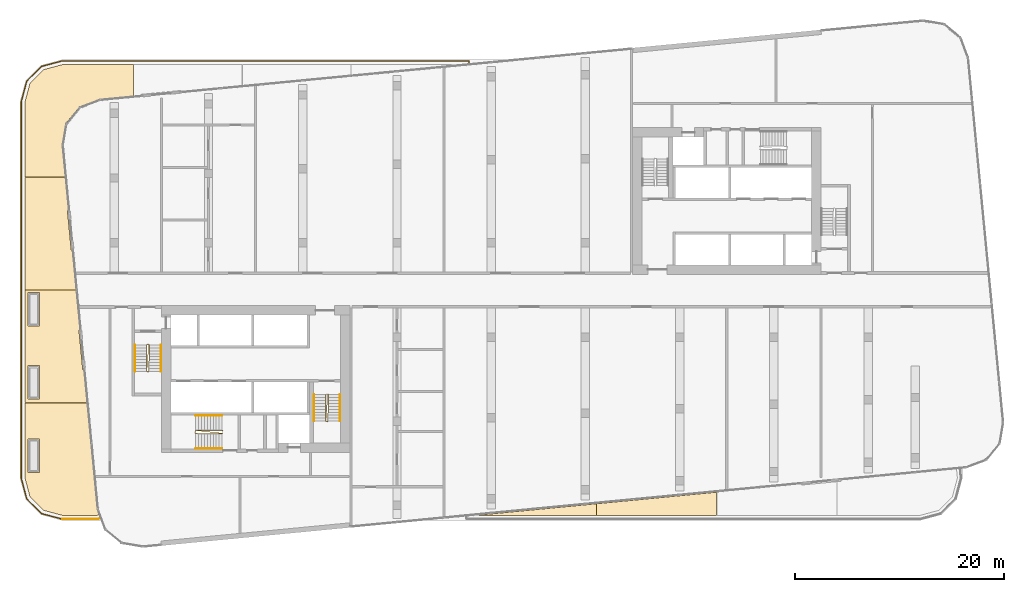
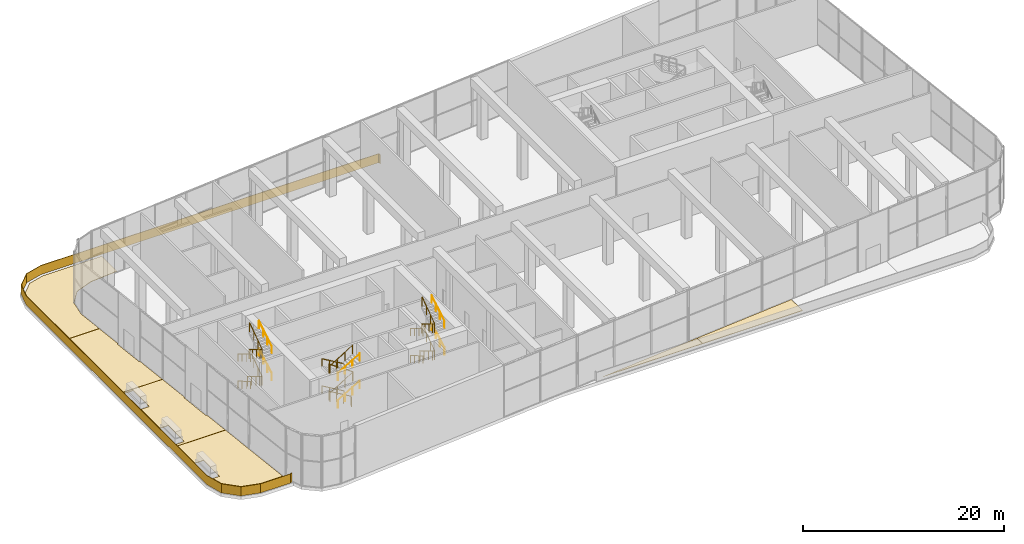
# One storey, part 23 of 25: 17 railings, 6 coverings.
"""IFC4 building model written with IfcOpenShell, lengths in metres."""

from ifc_helpers import new_model, si_unit, direction, frame, origin, origin_2d, place, context, subcontext, project, spatial, polyline, circle, outline, extrude, material, layer, layer_set, type_object, element, save


model = new_model("IFC4")

# Units and contexts
model_context = context("Model", 3, precision=1e-05, world=origin(), true_north=direction((0.0, 1.0)))
body_context = subcontext(model_context, "Body", "Model", "MODEL_VIEW")
ifc_project = project(units=[si_unit("LENGTHUNIT", "METRE"), si_unit("AREAUNIT", "SQUARE_METRE"), si_unit("VOLUMEUNIT", "CUBIC_METRE"), si_unit("PLANEANGLEUNIT", "RADIAN"), si_unit("MASSUNIT", "GRAM", prefix="KILO")], contexts=[model_context])

# Site, building, storey
site_placement = place(None, origin())
site = spatial("IfcSite", under=ifc_project, at=site_placement, CompositionType="ELEMENT")
building_placement = place(site_placement, origin())
building = spatial("IfcBuilding", under=site, at=building_placement, Name="Kajstack Hotel Tower", CompositionType="ELEMENT")
storey_placement = place(building_placement, frame((0.0, 0.0, 104.199951171875)))
storey = spatial("IfcBuildingStorey", under=building, at=storey_placement, Name="L22", CompositionType="ELEMENT", Elevation=104.199951171875)

# Railings
ifc_material_1 = material(Name="Steel S355J2", Category="steel")
railing_type_1 = type_object("IfcRailingType", Name="BALUSTRADE-TERRACE", PredefinedType="BALUSTRADE", material=ifc_material_1)
railing_1_placement = place(storey_placement, frame((-40.984130859375, -21.8798828125, 0.0)))
element("IfcRailing", 1, at=railing_1_placement, inside=storey, type_object=railing_type_1, Name="Terrace guard L22-01-01", PredefinedType="BALUSTRADE", context=body_context, shape_type="SweptSolid", body=[
    extrude(outline(polyline([(-1.969482421875, 0.49658203125), (-3.399169921875, 1.92626953125), (-3.92578125, 3.891845703125), (-3.92578125, 39.867919921875), (-3.399169921875, 41.83349609375), (-1.969482421875, 43.26318359375), (-0.00390625, 43.789794921875), (38.877197265625, 43.789794921875), (38.905517578125, 43.493896484375), (38.845947265625, 43.488037109375), (38.822509765625, 43.729736328125), (0.00390625, 43.729736328125), (-1.938232421875, 43.20947265625), (-3.345458984375, 41.80224609375), (-3.86572265625, 39.860107421875), (-3.86572265625, 3.899658203125), (-3.345458984375, 1.95751953125), (-1.938232421875, 0.55029296875), (0.0078125, 0.029052734375), (-0.0078125, -0.029052734375), (-1.969482421875, 0.49658203125)])), origin(), (0.0, 0.0, 1.0), 1.10009765625),
])
railing_2_placement = place(storey_placement, frame((-37.324462890625, -21.785400390625, 0.0)))
element("IfcRailing", 2, at=railing_2_placement, inside=storey, type_object=railing_type_1, Name="Terrace guard L22-01-02", PredefinedType="BALUSTRADE", context=body_context, shape_type="SweptSolid", body=[
    extrude(outline(polyline([(-0.24755859375, -0.12451171875), (-3.65966796875, -0.12451171875), (-3.65966796875, -0.064453125), (-0.25830078125, -0.064453125), (-0.010498046875, 0.028076171875), (0.010498046875, -0.028076171875), (-0.24755859375, -0.12451171875)])), origin(), (0.0, 0.0, 1.0), 1.10009765625),
])

# Coverings
ifc_material_2 = material(Name="Timber larch", Category="wood")
ifc_layer = layer(ifc_material_2, 0.050048828125)
ifc_layer_set = layer_set([ifc_layer], Name="DECK-LARCH")
covering_type = type_object("IfcCoveringType", Name="DECK-LARCH", PredefinedType="FLOORING", material=ifc_layer_set)
covering_1_placement = place(storey_placement, origin())
element("IfcCovering", 3, at=covering_1_placement, inside=storey, type_object=covering_type, Name="Larch decking L22-01-01", PredefinedType="FLOORING", context=body_context, shape_type="SweptSolid", body=[
    extrude(outline(polyline([(-38.60595703125, -10.77490234375), (-44.52001953125, -10.77490234375), (-44.52001953125, -17.975341796875), (-44.042724609375, -19.7568359375), (-42.7568359375, -21.042724609375), (-40.975341796875, -21.52001953125), (-37.61376953125, -21.52001953125), (-37.447265625, -21.457763671875), (-37.62255859375, -20.98876953125), (-38.60595703125, -10.77490234375)]), holes=[polyline([(-44.25, -14.22900390625), (-43.14990234375, -14.22900390625), (-43.14990234375, -17.428955078125), (-44.25, -17.428955078125), (-44.25, -14.22900390625)])]), origin(), (0.0, 0.0, 1.0), 0.050048828125),
])
covering_2_placement = place(storey_placement, origin())
element("IfcCovering", 4, at=covering_2_placement, inside=storey, type_object=covering_type, Name="Larch decking L22-01-02", PredefinedType="FLOORING", context=body_context, shape_type="SweptSolid", body=[
    extrude(outline(polyline([(-39.642578125, -0.010009765625), (-44.52001953125, -0.010009765625), (-44.52001953125, -10.7548828125), (-38.60791015625, -10.7548828125), (-38.91259765625, -7.59130859375), (-39.011962890625, -7.600830078125), (-39.376220703125, -3.818359375), (-39.27685546875, -3.808837890625), (-39.642578125, -0.010009765625)]), holes=[polyline([(-44.25, -10.428955078125), (-44.25, -7.22900390625), (-43.14990234375, -7.22900390625), (-43.14990234375, -10.428955078125), (-44.25, -10.428955078125)]), polyline([(-44.25, -0.22900390625), (-43.14990234375, -0.22900390625), (-43.14990234375, -3.428955078125), (-44.25, -3.428955078125), (-44.25, -0.22900390625)])]), origin(), (0.0, 0.0, 1.0), 0.050048828125),
])
covering_3_placement = place(storey_placement, origin())
element("IfcCovering", 5, at=covering_3_placement, inside=storey, type_object=covering_type, Name="Larch decking L22-01-03", PredefinedType="FLOORING", context=body_context, shape_type="SweptSolid", body=[
    extrude(outline(polyline([(-40.67919921875, 10.7548828125), (-44.52001953125, 10.7548828125), (-44.52001953125, 0.010009765625), (-39.64453125, 0.010009765625), (-40.01025390625, 3.808837890625), (-40.109619140625, 3.799072265625), (-40.473876953125, 7.58154296875), (-40.37451171875, 7.59130859375), (-40.67919921875, 10.7548828125)])), origin(), (0.0, 0.0, 1.0), 0.050048828125),
])
covering_4_placement = place(storey_placement, origin())
element("IfcCovering", 6, at=covering_4_placement, inside=storey, type_object=covering_type, Name="Larch decking L22-01-04", PredefinedType="FLOORING", context=body_context, shape_type="SweptSolid", body=[
    extrude(outline(polyline([(-40.635498046875, 15.892333984375), (-39.318359375, 17.489990234375), (-37.37890625, 18.215087890625), (-34.16162109375, 18.52490234375), (-34.16162109375, 21.52001953125), (-40.975341796875, 21.52001953125), (-42.7568359375, 21.042724609375), (-44.042724609375, 19.7568359375), (-44.52001953125, 17.975341796875), (-44.52001953125, 10.77490234375), (-40.680908203125, 10.77490234375), (-40.97705078125, 13.85009765625), (-40.635498046875, 15.892333984375)])), origin(), (0.0, 0.0, 1.0), 0.050048828125),
])
covering_5_placement = place(storey_placement, origin())
element("IfcCovering", 7, at=covering_5_placement, inside=storey, type_object=covering_type, Name="Larch decking L22-02-01", PredefinedType="FLOORING", context=body_context, shape_type="SweptSolid", body=[
    extrude(outline(polyline([(-1.4052734375, -21.52001953125), (10.036865234375, -21.52001953125), (10.036865234375, -20.418212890625), (-1.4052734375, -21.52001953125)])), origin(), (0.0, 0.0, 1.0), 0.050048828125),
])
covering_6_placement = place(storey_placement, origin())
element("IfcCovering", 8, at=covering_6_placement, inside=storey, type_object=covering_type, Name="Larch decking L22-02-02", PredefinedType="FLOORING", context=body_context, shape_type="SweptSolid", body=[
    extrude(outline(polyline([(10.056884765625, -20.416259765625), (10.056884765625, -21.52001953125), (21.52978515625, -21.52001953125), (21.52978515625, -19.3115234375), (10.056884765625, -20.416259765625)])), origin(), (0.0, 0.0, 1.0), 0.050048828125),
])

# Railings
railing_type_2 = type_object("IfcRailingType", Name="Stair guard 1100", PredefinedType="GUARDRAIL", material=ifc_material_1)
railing_3_placement = place(storey_placement, frame((-32.85009765625, -5.199951171875, 0.0)))
element("IfcRailing", 9, at=railing_3_placement, inside=storey, type_object=railing_type_2, Name="L22 W1 stair guard 1", PredefinedType="GUARDRAIL", context=body_context, shape_type="SweptSolid", body=[
    extrude(circle(Radius=0.02392578125, at=origin_2d()), frame((0.0, 0.0, 1.076171875), z_axis=(-0.277450376394, -0.278810427259, 0.919394384522), x_axis=(0.708833529934, -0.705375805398, 0.0)), (0.0, 0.0, 1.0), 0.179443359375),
    extrude(circle(Radius=0.02392578125, at=origin_2d()), frame((-0.0498046875, -0.050048828125, 1.2412109375), z_axis=(0.0, -0.86152411907, 0.507716645641), x_axis=(1.0, 0.0, 0.0)), (0.0, 0.0, 1.0), 2.925048828125),
    extrude(circle(Radius=0.02392578125, at=origin_2d()), frame((-0.0498046875, -2.570068359375, 2.72607421875), z_axis=(0.970072785993, -0.242814311512, 0.0), x_axis=(0.242814311512, 0.970072785993, 0.0)), (0.0, 0.0, 1.0), 0.2060546875),
    extrude(circle(Radius=0.02392578125, at=origin_2d()), frame((0.150146484375, -2.6201171875, 2.72607421875), z_axis=(0.016385308676, 0.841405582595, 0.540155687962), x_axis=(-0.999810440751, 0.019470042781, 0.0)), (0.0, 0.0, 1.0), 3.054443359375),
    extrude(circle(Radius=0.02392578125, at=origin_2d()), frame((0.2001953125, -0.050048828125, 4.3759765625), z_axis=(-0.707106781187, 0.707106781187, 0.0), x_axis=(-0.707106781187, -0.707106781187, 0.0)), (0.0, 0.0, 1.0), 0.07080078125),
    extrude(circle(Radius=0.02392578125, at=origin_2d()), frame((0.150146484375, 0.0, 4.3759765625), z_axis=(-0.065330231748, -0.839720817594, 0.539074122286), x_axis=(0.996987254287, -0.077565551559, 0.0)), (0.0, 0.0, 1.0), 3.060546875),
    extrude(circle(Radius=0.02392578125, at=origin_2d()), frame((-0.0498046875, -2.570068359375, 6.02587890625), z_axis=(0.970072785993, -0.242814311512, 0.0), x_axis=(0.242814311512, 0.970072785993, 0.0)), (0.0, 0.0, 1.0), 0.2060546875),
    extrude(circle(Radius=0.02392578125, at=origin_2d()), frame((0.150146484375, -2.6201171875, 6.02587890625), z_axis=(0.016384601254, 0.84136925563, 0.540212292087), x_axis=(-0.999810440751, 0.019470042781, 0.0)), (0.0, 0.0, 1.0), 3.0546875),
    extrude(circle(Radius=0.02099609375, at=origin_2d()), origin(), (0.0, 0.0, 1.0), 1.052001953125),
    extrude(circle(Radius=0.02099609375, at=origin_2d()), frame((-0.0498046875, -0.050048828125, 0.1650390625)), (0.0, 0.0, 1.0), 1.052001953125),
    extrude(circle(Radius=0.02099609375, at=origin_2d()), frame((-0.0498046875, -0.89013671875, 0.66015625)), (0.0, 0.0, 1.0), 1.052001953125),
    extrude(circle(Radius=0.02099609375, at=origin_2d()), frame((-0.0498046875, -1.72998046875, 1.155029296875)), (0.0, 0.0, 1.0), 1.052001953125),
    extrude(circle(Radius=0.02099609375, at=origin_2d()), frame((-0.0498046875, -2.570068359375, 1.650146484375)), (0.0, 0.0, 1.0), 1.052001953125),
    extrude(circle(Radius=0.02099609375, at=origin_2d()), frame((0.150146484375, -2.6201171875, 1.650146484375)), (0.0, 0.0, 1.0), 1.052001953125),
    extrude(circle(Radius=0.02099609375, at=origin_2d()), frame((0.166748046875, -1.763427734375, 2.2001953125)), (0.0, 0.0, 1.0), 1.052001953125),
    extrude(circle(Radius=0.02099609375, at=origin_2d()), frame((0.18359375, -0.90673828125, 2.75)), (0.0, 0.0, 1.0), 1.052001953125),
    extrude(circle(Radius=0.02099609375, at=origin_2d()), frame((0.2001953125, -0.050048828125, 3.300048828125)), (0.0, 0.0, 1.0), 1.052001953125),
    extrude(circle(Radius=0.02099609375, at=origin_2d()), frame((0.150146484375, 0.0, 3.300048828125)), (0.0, 0.0, 1.0), 1.052001953125),
    extrude(circle(Radius=0.02099609375, at=origin_2d()), frame((0.08349609375, -0.856689453125, 3.85009765625)), (0.0, 0.0, 1.0), 1.052001953125),
    extrude(circle(Radius=0.02099609375, at=origin_2d()), frame((0.016845703125, -1.71337890625, 4.39990234375)), (0.0, 0.0, 1.0), 1.052001953125),
    extrude(circle(Radius=0.02099609375, at=origin_2d()), frame((-0.0498046875, -2.570068359375, 4.949951171875)), (0.0, 0.0, 1.0), 1.052001953125),
    extrude(circle(Radius=0.02099609375, at=origin_2d()), frame((0.150146484375, -2.6201171875, 4.949951171875)), (0.0, 0.0, 1.0), 1.052001953125),
    extrude(circle(Radius=0.02099609375, at=origin_2d()), frame((0.166748046875, -1.763427734375, 5.5)), (0.0, 0.0, 1.0), 1.052001953125),
    extrude(circle(Radius=0.02099609375, at=origin_2d()), frame((0.18359375, -0.90673828125, 6.050048828125)), (0.0, 0.0, 1.0), 1.052001953125),
    extrude(circle(Radius=0.02099609375, at=origin_2d()), frame((0.2001953125, -0.050048828125, 6.60009765625)), (0.0, 0.0, 1.0), 1.052001953125),
])
railing_4_placement = place(storey_placement, frame((-15.75, -9.949951171875, 0.0)))
element("IfcRailing", 10, at=railing_4_placement, inside=storey, type_object=railing_type_2, Name="L22 W2 stair guard 1", PredefinedType="GUARDRAIL", context=body_context, shape_type="SweptSolid", body=[
    extrude(circle(Radius=0.02392578125, at=origin_2d()), frame((0.0, 0.0, 1.076171875), z_axis=(-0.278705021027, -0.278705021027, 0.919046801044), x_axis=(0.707106781187, -0.707106781187, 0.0)), (0.0, 0.0, 1.0), 0.1796875),
    extrude(circle(Radius=0.02392578125, at=origin_2d()), frame((-0.050048828125, -0.050048828125, 1.2412109375), z_axis=(0.0, -0.86152411907, 0.507716645641), x_axis=(1.0, 0.0, 0.0)), (0.0, 0.0, 1.0), 2.925048828125),
    extrude(circle(Radius=0.02392578125, at=origin_2d()), frame((-0.050048828125, -2.570068359375, 2.72607421875), z_axis=(0.970072785993, -0.242814311512, 0.0), x_axis=(0.242814311512, 0.970072785993, 0.0)), (0.0, 0.0, 1.0), 0.2060546875),
    extrude(circle(Radius=0.02392578125, at=origin_2d()), frame((0.14990234375, -2.6201171875, 2.72607421875), z_axis=(0.016385308676, 0.841405582595, 0.540155687962), x_axis=(-0.999810440751, 0.019470042781, 0.0)), (0.0, 0.0, 1.0), 3.054443359375),
    extrude(circle(Radius=0.02392578125, at=origin_2d()), frame((0.199951171875, -0.050048828125, 4.3759765625), z_axis=(-0.707106781187, 0.707106781187, 0.0), x_axis=(-0.707106781187, -0.707106781187, 0.0)), (0.0, 0.0, 1.0), 0.07080078125),
    extrude(circle(Radius=0.02392578125, at=origin_2d()), frame((0.14990234375, 0.0, 4.3759765625), z_axis=(-0.065330231748, -0.839720817594, 0.539074122286), x_axis=(0.996987254287, -0.077565551559, 0.0)), (0.0, 0.0, 1.0), 3.060546875),
    extrude(circle(Radius=0.02392578125, at=origin_2d()), frame((-0.050048828125, -2.570068359375, 6.02587890625), z_axis=(0.970072785993, -0.242814311512, 0.0), x_axis=(0.242814311512, 0.970072785993, 0.0)), (0.0, 0.0, 1.0), 0.2060546875),
    extrude(circle(Radius=0.02392578125, at=origin_2d()), frame((0.14990234375, -2.6201171875, 6.02587890625), z_axis=(0.016384601254, 0.84136925563, 0.540212292087), x_axis=(-0.999810440751, 0.019470042781, 0.0)), (0.0, 0.0, 1.0), 3.0546875),
    extrude(circle(Radius=0.02099609375, at=origin_2d()), origin(), (0.0, 0.0, 1.0), 1.052001953125),
    extrude(circle(Radius=0.02099609375, at=origin_2d()), frame((-0.050048828125, -0.050048828125, 0.1650390625)), (0.0, 0.0, 1.0), 1.052001953125),
    extrude(circle(Radius=0.02099609375, at=origin_2d()), frame((-0.050048828125, -0.89013671875, 0.66015625)), (0.0, 0.0, 1.0), 1.052001953125),
    extrude(circle(Radius=0.02099609375, at=origin_2d()), frame((-0.050048828125, -1.72998046875, 1.155029296875)), (0.0, 0.0, 1.0), 1.052001953125),
    extrude(circle(Radius=0.02099609375, at=origin_2d()), frame((-0.050048828125, -2.570068359375, 1.650146484375)), (0.0, 0.0, 1.0), 1.052001953125),
    extrude(circle(Radius=0.02099609375, at=origin_2d()), frame((0.14990234375, -2.6201171875, 1.650146484375)), (0.0, 0.0, 1.0), 1.052001953125),
    extrude(circle(Radius=0.02099609375, at=origin_2d()), frame((0.16650390625, -1.763427734375, 2.2001953125)), (0.0, 0.0, 1.0), 1.052001953125),
    extrude(circle(Radius=0.02099609375, at=origin_2d()), frame((0.183349609375, -0.90673828125, 2.75)), (0.0, 0.0, 1.0), 1.052001953125),
    extrude(circle(Radius=0.02099609375, at=origin_2d()), frame((0.199951171875, -0.050048828125, 3.300048828125)), (0.0, 0.0, 1.0), 1.052001953125),
    extrude(circle(Radius=0.02099609375, at=origin_2d()), frame((0.14990234375, 0.0, 3.300048828125)), (0.0, 0.0, 1.0), 1.052001953125),
    extrude(circle(Radius=0.02099609375, at=origin_2d()), frame((0.083251953125, -0.856689453125, 3.85009765625)), (0.0, 0.0, 1.0), 1.052001953125),
    extrude(circle(Radius=0.02099609375, at=origin_2d()), frame((0.0166015625, -1.71337890625, 4.39990234375)), (0.0, 0.0, 1.0), 1.052001953125),
    extrude(circle(Radius=0.02099609375, at=origin_2d()), frame((-0.050048828125, -2.570068359375, 4.949951171875)), (0.0, 0.0, 1.0), 1.052001953125),
    extrude(circle(Radius=0.02099609375, at=origin_2d()), frame((0.14990234375, -2.6201171875, 4.949951171875)), (0.0, 0.0, 1.0), 1.052001953125),
    extrude(circle(Radius=0.02099609375, at=origin_2d()), frame((0.16650390625, -1.763427734375, 5.5)), (0.0, 0.0, 1.0), 1.052001953125),
    extrude(circle(Radius=0.02099609375, at=origin_2d()), frame((0.183349609375, -0.90673828125, 6.050048828125)), (0.0, 0.0, 1.0), 1.052001953125),
    extrude(circle(Radius=0.02099609375, at=origin_2d()), frame((0.199951171875, -0.050048828125, 6.60009765625)), (0.0, 0.0, 1.0), 1.052001953125),
])
railing_5_placement = place(storey_placement, frame((-25.64990234375, -13.449951171875, 0.0)))
element("IfcRailing", 11, at=railing_5_placement, inside=storey, type_object=railing_type_2, Name="L22 W3 stair guard 1", PredefinedType="GUARDRAIL", context=body_context, shape_type="SweptSolid", body=[
    extrude(circle(Radius=0.02392578125, at=origin_2d()), frame((0.0, 0.0, 1.076171875), z_axis=(-0.278705021027, 0.278705021027, 0.919046801044), x_axis=(-0.707106781187, -0.707106781187, 0.0)), (0.0, 0.0, 1.0), 0.1796875),
    extrude(circle(Radius=0.02392578125, at=origin_2d()), frame((-0.050048828125, 0.050048828125, 1.2412109375), z_axis=(-0.86152411907, 0.0, 0.507716645641), x_axis=(0.0, -1.0, 0.0)), (0.0, 0.0, 1.0), 2.925048828125),
    extrude(circle(Radius=0.02392578125, at=origin_2d()), frame((-2.570068359375, 0.050048828125, 2.72607421875), z_axis=(-0.164529134168, -0.986372223864, 0.0), x_axis=(0.986372223864, -0.164529134168, 0.0)), (0.0, 0.0, 1.0), 0.30419921875),
    extrude(circle(Radius=0.02392578125, at=origin_2d()), frame((-2.6201171875, -0.25, 2.72607421875), z_axis=(0.841405582595, -0.016385308676, 0.540155687962), x_axis=(0.019470042781, 0.999810440751, 0.0)), (0.0, 0.0, 1.0), 3.054443359375),
    extrude(circle(Radius=0.02392578125, at=origin_2d()), frame((-0.050048828125, -0.300048828125, 4.3759765625), z_axis=(0.707106781187, 0.707106781187, 0.0), x_axis=(-0.707106781187, 0.707106781187, 0.0)), (0.0, 0.0, 1.0), 0.07080078125),
    extrude(circle(Radius=0.02392578125, at=origin_2d()), frame((0.0, -0.25, 4.3759765625), z_axis=(-0.837486508305, 0.097774381942, 0.537639766612), x_axis=(-0.115959822279, -0.993253904909, 0.0)), (0.0, 0.0, 1.0), 3.06884765625),
    extrude(circle(Radius=0.02392578125, at=origin_2d()), frame((-2.570068359375, 0.050048828125, 6.02587890625), z_axis=(-0.164529134168, -0.986372223864, 0.0), x_axis=(0.986372223864, -0.164529134168, 0.0)), (0.0, 0.0, 1.0), 0.30419921875),
    extrude(circle(Radius=0.02392578125, at=origin_2d()), frame((-2.6201171875, -0.25, 6.02587890625), z_axis=(0.84136925563, -0.016384601254, 0.540212292087), x_axis=(0.019470042781, 0.999810440751, 0.0)), (0.0, 0.0, 1.0), 3.0546875),
    extrude(circle(Radius=0.02099609375, at=origin_2d()), origin(), (0.0, 0.0, 1.0), 1.052001953125),
    extrude(circle(Radius=0.02099609375, at=origin_2d()), frame((-0.050048828125, 0.050048828125, 0.1650390625)), (0.0, 0.0, 1.0), 1.052001953125),
    extrude(circle(Radius=0.02099609375, at=origin_2d()), frame((-0.89013671875, 0.050048828125, 0.66015625)), (0.0, 0.0, 1.0), 1.052001953125),
    extrude(circle(Radius=0.02099609375, at=origin_2d()), frame((-1.72998046875, 0.050048828125, 1.155029296875)), (0.0, 0.0, 1.0), 1.052001953125),
    extrude(circle(Radius=0.02099609375, at=origin_2d()), frame((-2.570068359375, 0.050048828125, 1.650146484375)), (0.0, 0.0, 1.0), 1.052001953125),
    extrude(circle(Radius=0.02099609375, at=origin_2d()), frame((-2.6201171875, -0.25, 1.650146484375)), (0.0, 0.0, 1.0), 1.052001953125),
    extrude(circle(Radius=0.02099609375, at=origin_2d()), frame((-1.763427734375, -0.2666015625, 2.2001953125)), (0.0, 0.0, 1.0), 1.052001953125),
    extrude(circle(Radius=0.02099609375, at=origin_2d()), frame((-0.90673828125, -0.283447265625, 2.75)), (0.0, 0.0, 1.0), 1.052001953125),
    extrude(circle(Radius=0.02099609375, at=origin_2d()), frame((-0.050048828125, -0.300048828125, 3.300048828125)), (0.0, 0.0, 1.0), 1.052001953125),
    extrude(circle(Radius=0.02099609375, at=origin_2d()), frame((0.0, -0.25, 3.300048828125)), (0.0, 0.0, 1.0), 1.052001953125),
    extrude(circle(Radius=0.02099609375, at=origin_2d()), frame((-0.856689453125, -0.14990234375, 3.85009765625)), (0.0, 0.0, 1.0), 1.052001953125),
    extrude(circle(Radius=0.02099609375, at=origin_2d()), frame((-1.71337890625, -0.050048828125, 4.39990234375)), (0.0, 0.0, 1.0), 1.052001953125),
    extrude(circle(Radius=0.02099609375, at=origin_2d()), frame((-2.570068359375, 0.050048828125, 4.949951171875)), (0.0, 0.0, 1.0), 1.052001953125),
    extrude(circle(Radius=0.02099609375, at=origin_2d()), frame((-2.6201171875, -0.25, 4.949951171875)), (0.0, 0.0, 1.0), 1.052001953125),
    extrude(circle(Radius=0.02099609375, at=origin_2d()), frame((-1.763427734375, -0.2666015625, 5.5)), (0.0, 0.0, 1.0), 1.052001953125),
    extrude(circle(Radius=0.02099609375, at=origin_2d()), frame((-0.90673828125, -0.283447265625, 6.050048828125)), (0.0, 0.0, 1.0), 1.052001953125),
    extrude(circle(Radius=0.02099609375, at=origin_2d()), frame((-0.050048828125, -0.300048828125, 6.60009765625)), (0.0, 0.0, 1.0), 1.052001953125),
])
railing_type_3 = type_object("IfcRailingType", Name="Stair handrail 900", PredefinedType="HANDRAIL", material=ifc_material_1)
railing_6_placement = place(storey_placement, frame((-34.0, -5.25, 0.1650390625)))
element("IfcRailing", 12, at=railing_6_placement, inside=storey, type_object=railing_type_3, Name="L22 W1 stair handrail 1", PredefinedType="HANDRAIL", context=body_context, shape_type="SweptSolid", body=[
    extrude(circle(Radius=0.02392578125, at=origin_2d()), frame((0.0, 0.0, 0.8759765625), z_axis=(0.0, -0.86152411907, 0.507716645641), x_axis=(1.0, 0.0, 0.0)), (0.0, 0.0, 1.0), 2.925048828125),
    extrude(circle(Radius=0.02099609375, at=origin_2d()), origin(), (0.0, 0.0, 1.0), 0.851806640625),
    extrude(circle(Radius=0.02099609375, at=origin_2d()), frame((0.0, -0.840087890625, 0.4951171875)), (0.0, 0.0, 1.0), 0.851806640625),
    extrude(circle(Radius=0.02099609375, at=origin_2d()), frame((0.0, -1.679931640625, 0.989990234375)), (0.0, 0.0, 1.0), 0.851806640625),
    extrude(circle(Radius=0.02099609375, at=origin_2d()), frame((0.0, -2.52001953125, 1.485107421875)), (0.0, 0.0, 1.0), 0.851806640625),
])
railing_7_placement = place(storey_placement, frame((-31.550048828125, -7.77001953125, 1.81494140625)))
element("IfcRailing", 13, at=railing_7_placement, inside=storey, type_object=railing_type_3, Name="L22 W1 stair handrail 2", PredefinedType="HANDRAIL", context=body_context, shape_type="SweptSolid", body=[
    extrude(circle(Radius=0.02392578125, at=origin_2d()), frame((0.0, 0.0, 0.8759765625), z_axis=(0.0, 0.86152411907, 0.507716645641), x_axis=(-1.0, 0.0, 0.0)), (0.0, 0.0, 1.0), 2.925048828125),
    extrude(circle(Radius=0.02099609375, at=origin_2d()), origin(), (0.0, 0.0, 1.0), 0.851806640625),
    extrude(circle(Radius=0.02099609375, at=origin_2d()), frame((0.0, 0.840087890625, 0.4951171875)), (0.0, 0.0, 1.0), 0.851806640625),
    extrude(circle(Radius=0.02099609375, at=origin_2d()), frame((0.0, 1.679931640625, 0.989990234375)), (0.0, 0.0, 1.0), 0.851806640625),
    extrude(circle(Radius=0.02099609375, at=origin_2d()), frame((0.0, 2.52001953125, 1.485107421875)), (0.0, 0.0, 1.0), 0.851806640625),
])
railing_8_placement = place(storey_placement, frame((-34.0, -5.25, 3.465087890625)))
element("IfcRailing", 14, at=railing_8_placement, inside=storey, type_object=railing_type_3, Name="L22 W1 stair handrail 3", PredefinedType="HANDRAIL", context=body_context, shape_type="SweptSolid", body=[
    extrude(circle(Radius=0.02392578125, at=origin_2d()), frame((0.0, 0.0, 0.8759765625), z_axis=(0.0, -0.861560626758, 0.507654692109), x_axis=(1.0, 0.0, 0.0)), (0.0, 0.0, 1.0), 2.925048828125),
    extrude(circle(Radius=0.02099609375, at=origin_2d()), origin(), (0.0, 0.0, 1.0), 0.851806640625),
    extrude(circle(Radius=0.02099609375, at=origin_2d()), frame((0.0, -0.840087890625, 0.494873046875)), (0.0, 0.0, 1.0), 0.851806640625),
    extrude(circle(Radius=0.02099609375, at=origin_2d()), frame((0.0, -1.679931640625, 0.989990234375)), (0.0, 0.0, 1.0), 0.851806640625),
    extrude(circle(Radius=0.02099609375, at=origin_2d()), frame((0.0, -2.52001953125, 1.48486328125)), (0.0, 0.0, 1.0), 0.851806640625),
])
railing_9_placement = place(storey_placement, frame((-31.550048828125, -7.77001953125, 5.114990234375)))
element("IfcRailing", 15, at=railing_9_placement, inside=storey, type_object=railing_type_3, Name="L22 W1 stair handrail 4", PredefinedType="HANDRAIL", context=body_context, shape_type="SweptSolid", body=[
    extrude(circle(Radius=0.02392578125, at=origin_2d()), frame((0.0, 0.0, 0.8759765625), z_axis=(0.0, 0.86152411907, 0.507716645641), x_axis=(-1.0, 0.0, 0.0)), (0.0, 0.0, 1.0), 2.925048828125),
    extrude(circle(Radius=0.02099609375, at=origin_2d()), origin(), (0.0, 0.0, 1.0), 0.851806640625),
    extrude(circle(Radius=0.02099609375, at=origin_2d()), frame((0.0, 0.840087890625, 0.4951171875)), (0.0, 0.0, 1.0), 0.851806640625),
    extrude(circle(Radius=0.02099609375, at=origin_2d()), frame((0.0, 1.679931640625, 0.989990234375)), (0.0, 0.0, 1.0), 0.851806640625),
    extrude(circle(Radius=0.02099609375, at=origin_2d()), frame((0.0, 2.52001953125, 1.485107421875)), (0.0, 0.0, 1.0), 0.851806640625),
])
railing_10_placement = place(storey_placement, frame((-16.89990234375, -10.0, 0.1650390625)))
element("IfcRailing", 16, at=railing_10_placement, inside=storey, type_object=railing_type_3, Name="L22 W2 stair handrail 1", PredefinedType="HANDRAIL", context=body_context, shape_type="SweptSolid", body=[
    extrude(circle(Radius=0.02392578125, at=origin_2d()), frame((0.0, 0.0, 0.8759765625), z_axis=(0.0, -0.86152411907, 0.507716645641), x_axis=(1.0, 0.0, 0.0)), (0.0, 0.0, 1.0), 2.925048828125),
    extrude(circle(Radius=0.02099609375, at=origin_2d()), origin(), (0.0, 0.0, 1.0), 0.851806640625),
    extrude(circle(Radius=0.02099609375, at=origin_2d()), frame((0.0, -0.840087890625, 0.4951171875)), (0.0, 0.0, 1.0), 0.851806640625),
    extrude(circle(Radius=0.02099609375, at=origin_2d()), frame((0.0, -1.679931640625, 0.989990234375)), (0.0, 0.0, 1.0), 0.851806640625),
    extrude(circle(Radius=0.02099609375, at=origin_2d()), frame((0.0, -2.52001953125, 1.485107421875)), (0.0, 0.0, 1.0), 0.851806640625),
])
railing_11_placement = place(storey_placement, frame((-14.449951171875, -12.52001953125, 1.81494140625)))
element("IfcRailing", 17, at=railing_11_placement, inside=storey, type_object=railing_type_3, Name="L22 W2 stair handrail 2", PredefinedType="HANDRAIL", context=body_context, shape_type="SweptSolid", body=[
    extrude(circle(Radius=0.02392578125, at=origin_2d()), frame((0.0, 0.0, 0.8759765625), z_axis=(0.0, 0.86152411907, 0.507716645641), x_axis=(-1.0, 0.0, 0.0)), (0.0, 0.0, 1.0), 2.925048828125),
    extrude(circle(Radius=0.02099609375, at=origin_2d()), origin(), (0.0, 0.0, 1.0), 0.851806640625),
    extrude(circle(Radius=0.02099609375, at=origin_2d()), frame((0.0, 0.840087890625, 0.4951171875)), (0.0, 0.0, 1.0), 0.851806640625),
    extrude(circle(Radius=0.02099609375, at=origin_2d()), frame((0.0, 1.679931640625, 0.989990234375)), (0.0, 0.0, 1.0), 0.851806640625),
    extrude(circle(Radius=0.02099609375, at=origin_2d()), frame((0.0, 2.52001953125, 1.485107421875)), (0.0, 0.0, 1.0), 0.851806640625),
])
railing_12_placement = place(storey_placement, frame((-16.89990234375, -10.0, 3.465087890625)))
element("IfcRailing", 18, at=railing_12_placement, inside=storey, type_object=railing_type_3, Name="L22 W2 stair handrail 3", PredefinedType="HANDRAIL", context=body_context, shape_type="SweptSolid", body=[
    extrude(circle(Radius=0.02392578125, at=origin_2d()), frame((0.0, 0.0, 0.8759765625), z_axis=(0.0, -0.861560626758, 0.507654692109), x_axis=(1.0, 0.0, 0.0)), (0.0, 0.0, 1.0), 2.925048828125),
    extrude(circle(Radius=0.02099609375, at=origin_2d()), origin(), (0.0, 0.0, 1.0), 0.851806640625),
    extrude(circle(Radius=0.02099609375, at=origin_2d()), frame((0.0, -0.840087890625, 0.494873046875)), (0.0, 0.0, 1.0), 0.851806640625),
    extrude(circle(Radius=0.02099609375, at=origin_2d()), frame((0.0, -1.679931640625, 0.989990234375)), (0.0, 0.0, 1.0), 0.851806640625),
    extrude(circle(Radius=0.02099609375, at=origin_2d()), frame((0.0, -2.52001953125, 1.48486328125)), (0.0, 0.0, 1.0), 0.851806640625),
])
railing_13_placement = place(storey_placement, frame((-14.449951171875, -12.52001953125, 5.114990234375)))
element("IfcRailing", 19, at=railing_13_placement, inside=storey, type_object=railing_type_3, Name="L22 W2 stair handrail 4", PredefinedType="HANDRAIL", context=body_context, shape_type="SweptSolid", body=[
    extrude(circle(Radius=0.02392578125, at=origin_2d()), frame((0.0, 0.0, 0.8759765625), z_axis=(0.0, 0.86152411907, 0.507716645641), x_axis=(-1.0, 0.0, 0.0)), (0.0, 0.0, 1.0), 2.925048828125),
    extrude(circle(Radius=0.02099609375, at=origin_2d()), origin(), (0.0, 0.0, 1.0), 0.851806640625),
    extrude(circle(Radius=0.02099609375, at=origin_2d()), frame((0.0, 0.840087890625, 0.4951171875)), (0.0, 0.0, 1.0), 0.851806640625),
    extrude(circle(Radius=0.02099609375, at=origin_2d()), frame((0.0, 1.679931640625, 0.989990234375)), (0.0, 0.0, 1.0), 0.851806640625),
    extrude(circle(Radius=0.02099609375, at=origin_2d()), frame((0.0, 2.52001953125, 1.485107421875)), (0.0, 0.0, 1.0), 0.851806640625),
])
railing_14_placement = place(storey_placement, frame((-25.699951171875, -12.0, 0.1650390625)))
element("IfcRailing", 20, at=railing_14_placement, inside=storey, type_object=railing_type_3, Name="L22 W3 stair handrail 1", PredefinedType="HANDRAIL", context=body_context, shape_type="SweptSolid", body=[
    extrude(circle(Radius=0.02392578125, at=origin_2d()), frame((0.0, 0.0, 0.8759765625), z_axis=(-0.86152411907, 0.0, 0.507716645641), x_axis=(0.0, -1.0, 0.0)), (0.0, 0.0, 1.0), 2.925048828125),
    extrude(circle(Radius=0.02099609375, at=origin_2d()), origin(), (0.0, 0.0, 1.0), 0.851806640625),
    extrude(circle(Radius=0.02099609375, at=origin_2d()), frame((-0.840087890625, 0.0, 0.4951171875)), (0.0, 0.0, 1.0), 0.851806640625),
    extrude(circle(Radius=0.02099609375, at=origin_2d()), frame((-1.679931640625, 0.0, 0.989990234375)), (0.0, 0.0, 1.0), 0.851806640625),
    extrude(circle(Radius=0.02099609375, at=origin_2d()), frame((-2.52001953125, 0.0, 1.485107421875)), (0.0, 0.0, 1.0), 0.851806640625),
])
railing_15_placement = place(storey_placement, frame((-28.219970703125, -15.14990234375, 1.81494140625)))
element("IfcRailing", 21, at=railing_15_placement, inside=storey, type_object=railing_type_3, Name="L22 W3 stair handrail 2", PredefinedType="HANDRAIL", context=body_context, shape_type="SweptSolid", body=[
    extrude(circle(Radius=0.02392578125, at=origin_2d()), frame((0.0, 0.0, 0.8759765625), z_axis=(0.86152411907, 0.0, 0.507716645641), x_axis=(0.0, 1.0, 0.0)), (0.0, 0.0, 1.0), 2.925048828125),
    extrude(circle(Radius=0.02099609375, at=origin_2d()), origin(), (0.0, 0.0, 1.0), 0.851806640625),
    extrude(circle(Radius=0.02099609375, at=origin_2d()), frame((0.840087890625, 0.0, 0.4951171875)), (0.0, 0.0, 1.0), 0.851806640625),
    extrude(circle(Radius=0.02099609375, at=origin_2d()), frame((1.679931640625, 0.0, 0.989990234375)), (0.0, 0.0, 1.0), 0.851806640625),
    extrude(circle(Radius=0.02099609375, at=origin_2d()), frame((2.52001953125, 0.0, 1.485107421875)), (0.0, 0.0, 1.0), 0.851806640625),
])
railing_16_placement = place(storey_placement, frame((-25.699951171875, -12.0, 3.465087890625)))
element("IfcRailing", 22, at=railing_16_placement, inside=storey, type_object=railing_type_3, Name="L22 W3 stair handrail 3", PredefinedType="HANDRAIL", context=body_context, shape_type="SweptSolid", body=[
    extrude(circle(Radius=0.02392578125, at=origin_2d()), frame((0.0, 0.0, 0.8759765625), z_axis=(-0.861560626758, 0.0, 0.507654692109), x_axis=(0.0, -1.0, 0.0)), (0.0, 0.0, 1.0), 2.925048828125),
    extrude(circle(Radius=0.02099609375, at=origin_2d()), origin(), (0.0, 0.0, 1.0), 0.851806640625),
    extrude(circle(Radius=0.02099609375, at=origin_2d()), frame((-0.840087890625, 0.0, 0.494873046875)), (0.0, 0.0, 1.0), 0.851806640625),
    extrude(circle(Radius=0.02099609375, at=origin_2d()), frame((-1.679931640625, 0.0, 0.989990234375)), (0.0, 0.0, 1.0), 0.851806640625),
    extrude(circle(Radius=0.02099609375, at=origin_2d()), frame((-2.52001953125, 0.0, 1.48486328125)), (0.0, 0.0, 1.0), 0.851806640625),
])
railing_17_placement = place(storey_placement, frame((-28.219970703125, -15.14990234375, 5.114990234375)))
element("IfcRailing", 23, at=railing_17_placement, inside=storey, type_object=railing_type_3, Name="L22 W3 stair handrail 4", PredefinedType="HANDRAIL", context=body_context, shape_type="SweptSolid", body=[
    extrude(circle(Radius=0.02392578125, at=origin_2d()), frame((0.0, 0.0, 0.8759765625), z_axis=(0.86152411907, 0.0, 0.507716645641), x_axis=(0.0, 1.0, 0.0)), (0.0, 0.0, 1.0), 2.925048828125),
    extrude(circle(Radius=0.02099609375, at=origin_2d()), origin(), (0.0, 0.0, 1.0), 0.851806640625),
    extrude(circle(Radius=0.02099609375, at=origin_2d()), frame((0.840087890625, 0.0, 0.4951171875)), (0.0, 0.0, 1.0), 0.851806640625),
    extrude(circle(Radius=0.02099609375, at=origin_2d()), frame((1.679931640625, 0.0, 0.989990234375)), (0.0, 0.0, 1.0), 0.851806640625),
    extrude(circle(Radius=0.02099609375, at=origin_2d()), frame((2.52001953125, 0.0, 1.485107421875)), (0.0, 0.0, 1.0), 0.851806640625),
])

save(model, "model.ifc")
